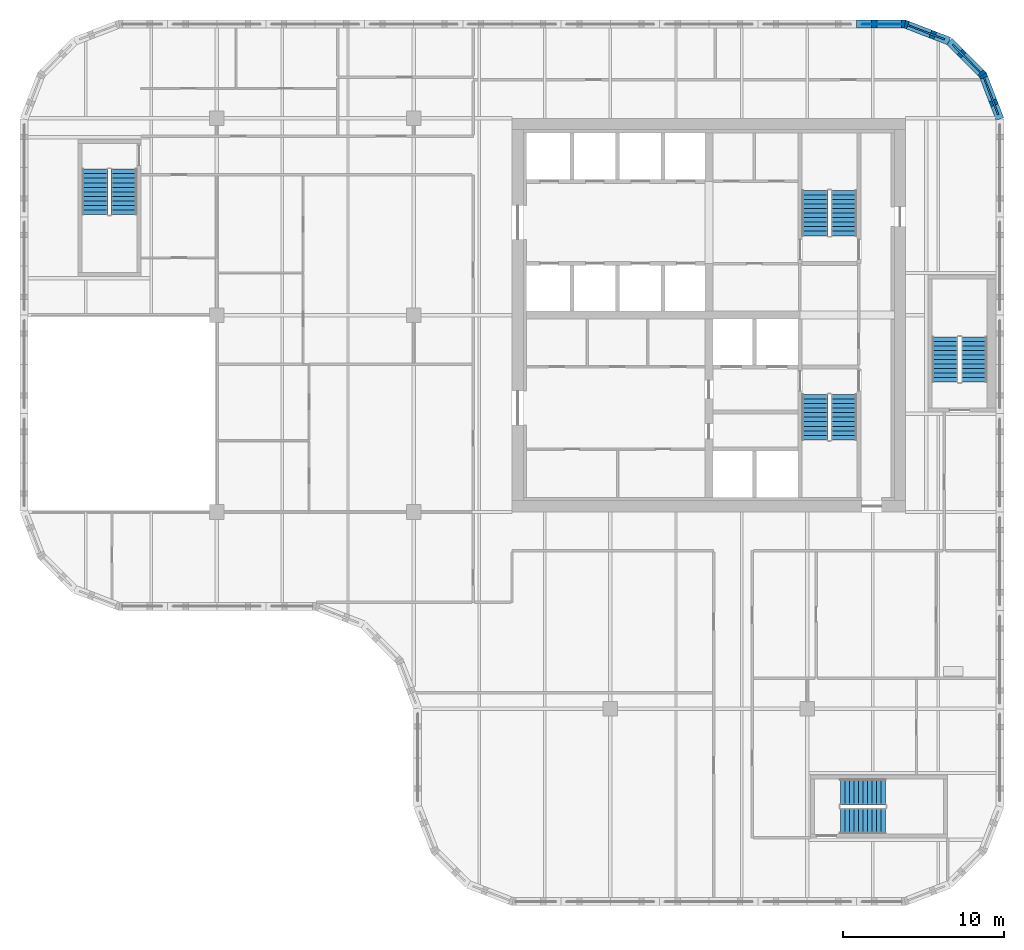
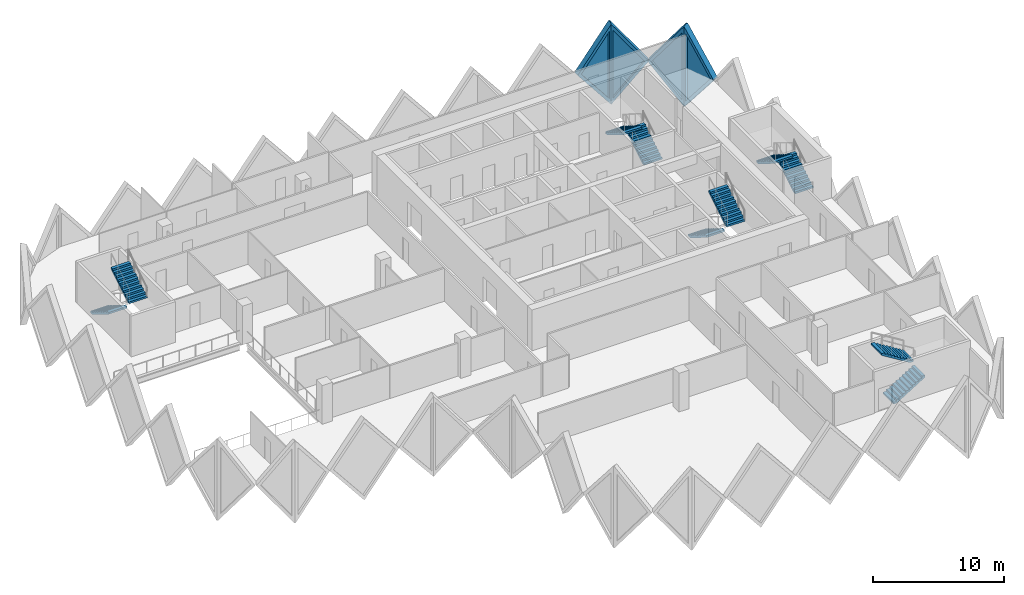
# One storey, part 10 of 12: 10 stair flights, 4 plates, 4 walls, 4 openings, 5 elements without a shape of their own.
"""IFC4 building model written with IfcOpenShell, lengths in metres."""

from ifc_helpers import new_model, si_unit, direction, frame, origin, place, context, subcontext, project, spatial, polyline, outline, extrude, faceted_brep, source, transform, mapped, material, layer, layer_set, type_object, element, fill, aggregate, save


model = new_model("IFC4")

# Units and contexts
model_context = context("Model", 3, precision=1e-05, world=origin(), true_north=direction((0.0, 1.0)))
body_context = subcontext(model_context, "Body", "Model", "MODEL_VIEW")
ifc_project = project(units=[si_unit("LENGTHUNIT", "METRE"), si_unit("AREAUNIT", "SQUARE_METRE"), si_unit("VOLUMEUNIT", "CUBIC_METRE"), si_unit("PLANEANGLEUNIT", "RADIAN"), si_unit("MASSUNIT", "GRAM", prefix="KILO")], contexts=[model_context])

# Site, building, storey
site_placement = place(None, origin())
site = spatial("IfcSite", under=ifc_project, at=site_placement, CompositionType="ELEMENT")
building_placement = place(site_placement, origin())
building = spatial("IfcBuilding", under=site, at=building_placement, Name="Tessera Gate Towers", CompositionType="ELEMENT")
storey_placement = place(building_placement, frame((0.0, 0.0, 127.800048828125)))
storey = spatial("IfcBuildingStorey", under=building, at=storey_placement, Name="L31", CompositionType="ELEMENT", Elevation=127.800048828125)

# Wall, opening, plate
ifc_material_1 = material(Name="Precast concrete C60/75 white", Category="concrete")
ifc_layer_1 = layer(ifc_material_1, 0.5)
ifc_layer_set_1 = layer_set([ifc_layer_1], Name="TS3 corner tessera")
wall_type = type_object("IfcWallType", Name="TS3 corner tessera", PredefinedType="SOLIDWALL", material=ifc_layer_set_1)
shared_shape_1 = source(origin(), body_context, "Body", "Brep", [
    faceted_brep([(2.950439453125, -0.25, 0.0), (2.9970703125, -0.25, 0.05908203125), (2.9970703125, -0.25, 7.541015625), (2.950439453125, -0.25, 7.60009765625), (0.0, -0.25, 3.800048828125), (0.052978515625, 0.25, 3.8681640625), (2.904052734375, 0.25, 7.540283203125), (2.904052734375, 0.25, 0.059814453125), (0.052978515625, 0.25, 3.73193359375), (2.950439453125, 0.00048828125, 0.0), (2.950439453125, 0.00048828125, 7.60009765625), (0.0, 0.0, 3.800048828125)], [[[0, 1, 2, 3, 4]], [[5, 6, 7, 8]], [[1, 0, 9]], [[10, 3, 2]], [[6, 5, 11, 4, 3, 10]], [[8, 7, 9, 0, 4, 11]], [[8, 11, 5]], [[1, 9, 7, 6, 10, 2]]]),
])
wall_1_placement = place(storey_placement, frame((57.606201171875, 53.588134765625, -3.800048828125), z_axis=(0.0, 0.0, 1.0), x_axis=(-0.932990326376, 0.359901446078, 0.0)))
wall_1 = element("IfcWall", 1, at=wall_1_placement, inside=storey, type_object=wall_type, Name="Precast corner tessera T1 TS3-0705", PredefinedType="SOLIDWALL", context=body_context, shape_type="MappedRepresentation", body=[
    mapped(shared_shape_1, transform((0.0, 0.0, 0.0), scale=1.0)),
])
shared_shape_2 = source(origin(), body_context, "Body", "SweptSolid", [
    extrude(outline(polyline([(2.75048828125, 6.934814453125), (0.31640625, 3.800048828125), (2.75048828125, 0.665283203125), (2.75048828125, 6.934814453125)])), frame((0.0, 0.260009765625, 0.0), z_axis=(0.0, -1.0, 0.0), x_axis=(1.0, 0.0, 0.0)), (0.0, 0.0, 1.0), 0.52001953125),
])
opening_1_placement = place(wall_1_placement, origin())
opening_1 = element("IfcOpeningElement", 2, at=opening_1_placement, cuts=wall_1, Name="Opening T1-PL2-1052", PredefinedType="OPENING", context=body_context, shape_type="MappedRepresentation", body=[
    mapped(shared_shape_2, transform((0.0, 0.0, 0.0), scale=1.0)),
])
ifc_material_2 = material(Name="Low-e laminated glass", Category="glass")
ifc_layer_2 = layer(ifc_material_2, 0.06005859375)
ifc_layer_set_2 = layer_set([ifc_layer_2], Name="PL2 rhombic pane")
plate_type = type_object("IfcPlateType", Name="PL2 rhombic pane", PredefinedType="SHEET", material=ifc_layer_set_2)
shared_shape_3 = source(origin(), body_context, "Body", "SweptSolid", [
    extrude(outline(polyline([(2.75048828125, 6.934814453125), (0.31640625, 3.800048828125), (2.75048828125, 0.665283203125), (2.75048828125, 6.934814453125)])), frame((0.0, 0.030029296875, 0.0), z_axis=(0.0, -1.0, 0.0), x_axis=(1.0, 0.0, 0.0)), (0.0, 0.0, 1.0), 0.06005859375),
])
plate_1_placement = place(opening_1_placement, origin())
plate_1 = element("IfcPlate", 3, at=plate_1_placement, inside=storey, type_object=plate_type, Name="Glass pane T1 PL2-1052", PredefinedType="SHEET", context=body_context, shape_type="MappedRepresentation", body=[
    mapped(shared_shape_3, transform((0.0, 0.0, 0.0), scale=1.0)),
])
fill(opening_1, plate_1)

shared_shape_4 = source(origin(), body_context, "Body", "Brep", [
    faceted_brep([(0.046630859375, -0.25, 0.0), (3.050048828125, -0.25, 3.800048828125), (0.046630859375, -0.25, 7.60009765625), (0.0, -0.25, 7.5400390625), (0.0, -0.25, 0.06005859375), (0.09326171875, 0.25, 7.541259765625), (3.050048828125, 0.25, 3.800048828125), (0.09326171875, 0.25, 0.058837890625), (0.046630859375, 0.0, 0.0), (0.046630859375, 0.0, 7.60009765625)], [[[0, 1, 2, 3, 4]], [[5, 6, 7]], [[7, 6, 1, 0, 8]], [[6, 5, 9, 2, 1]], [[3, 2, 9]], [[8, 0, 4]], [[7, 8, 4, 3, 9, 5]]]),
])
wall_2_placement = place(storey_placement, frame((54.900146484375, 54.64990234375, -3.800048828125), z_axis=(0.0, 0.0, 1.0), x_axis=(-1.0, 0.0, 0.0)))
wall_2 = element("IfcWall", 4, at=wall_2_placement, inside=storey, type_object=wall_type, Name="Precast corner tessera T1 TS3-0706", PredefinedType="SOLIDWALL", context=body_context, shape_type="MappedRepresentation", body=[
    mapped(shared_shape_4, transform((0.0, 0.0, 0.0), scale=1.0)),
])
shared_shape_5 = source(origin(), body_context, "Body", "SweptSolid", [
    extrude(outline(polyline([(0.24658203125, 0.65625), (2.7314453125, 3.800048828125), (0.24658203125, 6.94384765625), (0.24658203125, 0.65625)])), frame((0.0, 0.260009765625, 0.0), z_axis=(0.0, -1.0, 0.0), x_axis=(1.0, 0.0, 0.0)), (0.0, 0.0, 1.0), 0.52001953125),
])
opening_2_placement = place(wall_2_placement, origin())
opening_2 = element("IfcOpeningElement", 5, at=opening_2_placement, cuts=wall_2, Name="Opening T1-PL2-1053", PredefinedType="OPENING", context=body_context, shape_type="MappedRepresentation", body=[
    mapped(shared_shape_5, transform((0.0, 0.0, 0.0), scale=1.0)),
])
shared_shape_6 = source(origin(), body_context, "Body", "SweptSolid", [
    extrude(outline(polyline([(0.24658203125, 0.65625), (2.7314453125, 3.800048828125), (0.24658203125, 6.94384765625), (0.24658203125, 0.65625)])), frame((0.0, 0.030029296875, 0.0), z_axis=(0.0, -1.0, 0.0), x_axis=(1.0, 0.0, 0.0)), (0.0, 0.0, 1.0), 0.06005859375),
])
plate_2_placement = place(opening_2_placement, origin())
plate_2 = element("IfcPlate", 6, at=plate_2_placement, inside=storey, type_object=plate_type, Name="Glass pane T1 PL2-1053", PredefinedType="SHEET", context=body_context, shape_type="MappedRepresentation", body=[
    mapped(shared_shape_6, transform((0.0, 0.0, 0.0), scale=1.0)),
])
fill(opening_2, plate_2)

shared_shape_7 = source(origin(), body_context, "Body", "Brep", [
    faceted_brep([(2.950439453125, -0.25, 0.0), (3.00341796875, -0.25, 0.068359375), (3.00341796875, -0.25, 7.53173828125), (2.950439453125, -0.25, 7.60009765625), (0.0, -0.25, 3.800048828125), (0.046630859375, 0.25, 3.860107421875), (2.897705078125, 0.25, 7.531982421875), (2.897705078125, 0.25, 0.068115234375), (0.046630859375, 0.25, 3.739990234375), (2.950439453125, 0.00048828125, 0.0), (2.950439453125, 0.00048828125, 7.60009765625), (0.0, 0.0, 3.800048828125)], [[[0, 1, 2, 3, 4]], [[5, 6, 7, 8]], [[1, 0, 9]], [[10, 3, 2]], [[6, 5, 11, 4, 3, 10]], [[8, 7, 9, 0, 4, 11]], [[8, 11, 5]], [[1, 9, 7, 6, 10, 2]]]),
])
wall_3_placement = place(storey_placement, frame((60.75, 48.75341796875, -3.800048828125), z_axis=(0.0, 0.0, 1.0), x_axis=(-0.35992665181, 0.932980602862, 0.0)))
wall_3 = element("IfcWall", 7, at=wall_3_placement, inside=storey, type_object=wall_type, Name="Precast corner tessera T1 TS3-0703", PredefinedType="SOLIDWALL", context=body_context, shape_type="MappedRepresentation", body=[
    mapped(shared_shape_7, transform((0.0, 0.0, 0.0), scale=1.0)),
])
opening_3_placement = place(wall_3_placement, origin())
opening_3 = element("IfcOpeningElement", 8, at=opening_3_placement, cuts=wall_3, Name="Opening T1-PL2-1050", PredefinedType="OPENING", context=body_context, shape_type="MappedRepresentation", body=[
    mapped(shared_shape_2, transform((0.0, 0.0, 0.0), scale=1.0)),
])
plate_3_placement = place(opening_3_placement, origin())
plate_3 = element("IfcPlate", 9, at=plate_3_placement, inside=storey, type_object=plate_type, Name="Glass pane T1 PL2-1050", PredefinedType="SHEET", context=body_context, shape_type="MappedRepresentation", body=[
    mapped(shared_shape_3, transform((0.0, 0.0, 0.0), scale=1.0)),
])
fill(opening_3, plate_3)

shared_shape_8 = source(origin(), body_context, "Body", "Brep", [
    faceted_brep([(0.052978515625, -0.25, 0.0), (2.9970703125, -0.25, 3.800048828125), (0.052978515625, -0.25, 7.60009765625), (0.0, -0.25, 7.531982421875), (0.0, -0.25, 0.068115234375), (0.10595703125, 0.25, 7.53173828125), (2.944091796875, 0.25, 3.8681640625), (2.944091796875, 0.25, 3.73193359375), (0.10595703125, 0.25, 0.068359375), (2.9970703125, 0.000244140625, 3.800048828125), (0.052978515625, 0.0, 0.0), (0.052978515625, 0.0, 7.60009765625)], [[[0, 1, 2, 3, 4]], [[5, 6, 7, 8]], [[8, 7, 9, 1, 0, 10]], [[6, 5, 11, 2, 1, 9]], [[3, 2, 11]], [[10, 0, 4]], [[8, 10, 4, 3, 11, 5]], [[9, 7, 6]]]),
])
wall_4_placement = place(storey_placement, frame((59.7255859375, 51.46875, -3.800048828125), z_axis=(0.0, 0.0, 1.0), x_axis=(-0.707106781187, 0.707106781187, 0.0)))
wall_4 = element("IfcWall", 10, at=wall_4_placement, inside=storey, type_object=wall_type, Name="Precast corner tessera T1 TS3-0704", PredefinedType="SOLIDWALL", context=body_context, shape_type="MappedRepresentation", body=[
    mapped(shared_shape_8, transform((0.0, 0.0, 0.0), scale=1.0)),
])
shared_shape_9 = source(origin(), body_context, "Body", "SweptSolid", [
    extrude(outline(polyline([(0.2529296875, 0.666259765625), (2.680908203125, 3.800048828125), (0.2529296875, 6.93359375), (0.2529296875, 0.666259765625)])), frame((0.0, 0.260009765625, 0.0), z_axis=(0.0, -1.0, 0.0), x_axis=(1.0, 0.0, 0.0)), (0.0, 0.0, 1.0), 0.52001953125),
])
opening_4_placement = place(wall_4_placement, origin())
opening_4 = element("IfcOpeningElement", 11, at=opening_4_placement, cuts=wall_4, Name="Opening T1-PL2-1051", PredefinedType="OPENING", context=body_context, shape_type="MappedRepresentation", body=[
    mapped(shared_shape_9, transform((0.0, 0.0, 0.0), scale=1.0)),
])
shared_shape_10 = source(origin(), body_context, "Body", "SweptSolid", [
    extrude(outline(polyline([(0.2529296875, 0.666259765625), (2.680908203125, 3.800048828125), (0.2529296875, 6.93359375), (0.2529296875, 0.666259765625)])), frame((0.0, 0.030029296875, 0.0), z_axis=(0.0, -1.0, 0.0), x_axis=(1.0, 0.0, 0.0)), (0.0, 0.0, 1.0), 0.06005859375),
])
plate_4_placement = place(opening_4_placement, origin())
plate_4 = element("IfcPlate", 12, at=plate_4_placement, inside=storey, type_object=plate_type, Name="Glass pane T1 PL2-1051", PredefinedType="SHEET", context=body_context, shape_type="MappedRepresentation", body=[
    mapped(shared_shape_10, transform((0.0, 0.0, 0.0), scale=1.0)),
])
fill(opening_4, plate_4)

# Stair, stair flights
ifc_material_3 = material(Name="Concrete C40/50", Category="concrete")
stair_type_1 = type_object("IfcStairType", Name="EXIT STAIR ST1 1600", PredefinedType="HALF_TURN_STAIR", material=ifc_material_3)
stair_1_placement = place(storey_placement, origin())
stair_1 = element("IfcStair", 13, at=stair_1_placement, inside=storey, type_object=stair_type_1, Name="L31 Protected Exit Stair ST1", PredefinedType="HALF_TURN_STAIR")
ifc_material_4 = material(Name="Concrete C40/50", Category="concrete")
stair_flight_type_1 = type_object("IfcStairFlightType", Name="EXIT STAIR FLIGHT ST1 1600", PredefinedType="STRAIGHT", material=ifc_material_4)
stair_flight_1_placement = place(storey_placement, frame((49.27490234375, 31.675048828125, 0.0), z_axis=(0.0, 0.0, 1.0), x_axis=(0.0, -1.0, 0.0)))
stair_flight_1 = element("IfcStairFlight", 14, at=stair_flight_1_placement, type_object=stair_flight_type_1, Name="ST1 flight 1", NumberOfRisers=11, NumberOfTreads=10, PredefinedType="STRAIGHT", RiserHeight=0.172727273, TreadLength=0.28, context=body_context, shape_type="SweptSolid", body=[
    extrude(outline(polyline([(0.0, 0.0), (0.0, 0.172607421875), (0.280029296875, 0.172607421875), (0.280029296875, 0.345458984375), (0.56005859375, 0.345458984375), (0.56005859375, 0.51806640625), (0.840087890625, 0.51806640625), (0.840087890625, 0.69091796875), (1.1201171875, 0.69091796875), (1.1201171875, 0.863525390625), (1.39990234375, 0.863525390625), (1.39990234375, 1.036376953125), (1.679931640625, 1.036376953125), (1.679931640625, 1.208984375), (1.9599609375, 1.208984375), (1.9599609375, 1.3818359375), (2.239990234375, 1.3818359375), (2.239990234375, 1.554443359375), (2.52001953125, 1.554443359375), (2.52001953125, 1.727294921875), (2.800048828125, 1.727294921875), (2.800048828125, 1.89990234375), (2.800048828125, 1.551025390625), (0.285400390625, 0.0), (0.0, 0.0)])), frame((0.0, 0.800048828125, 0.0), z_axis=(0.0, -1.0, 0.0), x_axis=(1.0, 0.0, 0.0)), (0.0, 0.0, 1.0), 1.60009765625),
])
stair_flight_2_placement = place(storey_placement, frame((51.074951171875, 28.875, 1.89990234375), z_axis=(0.0, 0.0, 1.0), x_axis=(0.0, 1.0, 0.0)))
stair_flight_2 = element("IfcStairFlight", 15, at=stair_flight_2_placement, type_object=stair_flight_type_1, Name="ST1 flight 2", NumberOfRisers=11, NumberOfTreads=10, PredefinedType="STRAIGHT", RiserHeight=0.172727273, TreadLength=0.28, context=body_context, shape_type="SweptSolid", body=[
    extrude(outline(polyline([(0.0, 0.0), (0.0, 0.172607421875), (0.280029296875, 0.172607421875), (0.280029296875, 0.345458984375), (0.56005859375, 0.345458984375), (0.56005859375, 0.51806640625), (0.840087890625, 0.51806640625), (0.840087890625, 0.69091796875), (1.1201171875, 0.69091796875), (1.1201171875, 0.863525390625), (1.39990234375, 0.863525390625), (1.39990234375, 1.036376953125), (1.679931640625, 1.036376953125), (1.679931640625, 1.208984375), (1.9599609375, 1.208984375), (1.9599609375, 1.3818359375), (2.239990234375, 1.3818359375), (2.239990234375, 1.554443359375), (2.52001953125, 1.554443359375), (2.52001953125, 1.727294921875), (2.800048828125, 1.727294921875), (2.800048828125, 1.89990234375), (2.800048828125, 1.551025390625), (0.285400390625, 0.0), (0.0, 0.0)])), frame((0.0, 0.800048828125, 0.0), z_axis=(0.0, -1.0, 0.0), x_axis=(1.0, 0.0, 0.0)), (0.0, 0.0, 1.0), 1.60009765625),
])
aggregate(stair_1, [stair_flight_1, stair_flight_2])

ifc_material_5 = material(Name="Concrete C40/50", Category="concrete")
stair_type_2 = type_object("IfcStairType", Name="EXIT STAIR ST2 1600", PredefinedType="HALF_TURN_STAIR", material=ifc_material_5)
stair_2_placement = place(storey_placement, origin())
stair_2 = element("IfcStair", 16, at=stair_2_placement, inside=storey, type_object=stair_type_2, Name="L31 Protected Exit Stair ST2", PredefinedType="HALF_TURN_STAIR")
ifc_material_6 = material(Name="Concrete C40/50", Category="concrete")
stair_flight_type_2 = type_object("IfcStairFlightType", Name="EXIT STAIR FLIGHT ST2 1600", PredefinedType="STRAIGHT", material=ifc_material_6)
stair_flight_3_placement = place(storey_placement, frame((51.074951171875, 41.52490234375, 0.0), z_axis=(0.0, 0.0, 1.0), x_axis=(0.0, 1.0, 0.0)))
stair_flight_3 = element("IfcStairFlight", 17, at=stair_flight_3_placement, type_object=stair_flight_type_2, Name="ST2 flight 1", NumberOfRisers=11, NumberOfTreads=10, PredefinedType="STRAIGHT", RiserHeight=0.172727273, TreadLength=0.28, context=body_context, shape_type="SweptSolid", body=[
    extrude(outline(polyline([(0.0, 0.0), (0.0, 0.172607421875), (0.280029296875, 0.172607421875), (0.280029296875, 0.345458984375), (0.56005859375, 0.345458984375), (0.56005859375, 0.51806640625), (0.840087890625, 0.51806640625), (0.840087890625, 0.69091796875), (1.1201171875, 0.69091796875), (1.1201171875, 0.863525390625), (1.39990234375, 0.863525390625), (1.39990234375, 1.036376953125), (1.679931640625, 1.036376953125), (1.679931640625, 1.208984375), (1.9599609375, 1.208984375), (1.9599609375, 1.3818359375), (2.239990234375, 1.3818359375), (2.239990234375, 1.554443359375), (2.52001953125, 1.554443359375), (2.52001953125, 1.727294921875), (2.800048828125, 1.727294921875), (2.800048828125, 1.89990234375), (2.800048828125, 1.551025390625), (0.285400390625, 0.0), (0.0, 0.0)])), frame((0.0, 0.800048828125, 0.0), z_axis=(0.0, -1.0, 0.0), x_axis=(1.0, 0.0, 0.0)), (0.0, 0.0, 1.0), 1.60009765625),
])
stair_flight_4_placement = place(storey_placement, frame((49.27490234375, 44.324951171875, 1.89990234375), z_axis=(0.0, 0.0, 1.0), x_axis=(0.0, -1.0, 0.0)))
stair_flight_4 = element("IfcStairFlight", 18, at=stair_flight_4_placement, type_object=stair_flight_type_2, Name="ST2 flight 2", NumberOfRisers=11, NumberOfTreads=10, PredefinedType="STRAIGHT", RiserHeight=0.172727273, TreadLength=0.28, context=body_context, shape_type="SweptSolid", body=[
    extrude(outline(polyline([(0.0, 0.0), (0.0, 0.172607421875), (0.280029296875, 0.172607421875), (0.280029296875, 0.345458984375), (0.56005859375, 0.345458984375), (0.56005859375, 0.51806640625), (0.840087890625, 0.51806640625), (0.840087890625, 0.69091796875), (1.1201171875, 0.69091796875), (1.1201171875, 0.863525390625), (1.39990234375, 0.863525390625), (1.39990234375, 1.036376953125), (1.679931640625, 1.036376953125), (1.679931640625, 1.208984375), (1.9599609375, 1.208984375), (1.9599609375, 1.3818359375), (2.239990234375, 1.3818359375), (2.239990234375, 1.554443359375), (2.52001953125, 1.554443359375), (2.52001953125, 1.727294921875), (2.800048828125, 1.727294921875), (2.800048828125, 1.89990234375), (2.800048828125, 1.551025390625), (0.285400390625, 0.0), (0.0, 0.0)])), frame((0.0, 0.800048828125, 0.0), z_axis=(0.0, -1.0, 0.0), x_axis=(1.0, 0.0, 0.0)), (0.0, 0.0, 1.0), 1.60009765625),
])
aggregate(stair_2, [stair_flight_3, stair_flight_4])

ifc_material_7 = material(Name="Concrete C40/50", Category="concrete")
stair_type_3 = type_object("IfcStairType", Name="EXIT STAIR ST3 1600", PredefinedType="HALF_TURN_STAIR", material=ifc_material_7)
stair_3_placement = place(storey_placement, origin())
stair_3 = element("IfcStair", 19, at=stair_3_placement, inside=storey, type_object=stair_type_3, Name="L31 West Exit Stair ST3", PredefinedType="HALF_TURN_STAIR")
ifc_material_8 = material(Name="Concrete C40/50", Category="concrete")
stair_flight_type_3 = type_object("IfcStairFlightType", Name="EXIT STAIR FLIGHT ST3 1600", PredefinedType="STRAIGHT", material=ifc_material_8)
stair_flight_5_placement = place(storey_placement, frame((4.64990234375, 45.64990234375, 0.0), z_axis=(0.0, 0.0, 1.0), x_axis=(0.0, -1.0, 0.0)))
stair_flight_5 = element("IfcStairFlight", 20, at=stair_flight_5_placement, type_object=stair_flight_type_3, Name="ST3 flight 1", NumberOfRisers=11, NumberOfTreads=10, PredefinedType="STRAIGHT", RiserHeight=0.172727273, TreadLength=0.28, context=body_context, shape_type="SweptSolid", body=[
    extrude(outline(polyline([(0.0, 0.0), (0.0, 0.172607421875), (0.280029296875, 0.172607421875), (0.280029296875, 0.345458984375), (0.56005859375, 0.345458984375), (0.56005859375, 0.51806640625), (0.840087890625, 0.51806640625), (0.840087890625, 0.69091796875), (1.1201171875, 0.69091796875), (1.1201171875, 0.863525390625), (1.39990234375, 0.863525390625), (1.39990234375, 1.036376953125), (1.679931640625, 1.036376953125), (1.679931640625, 1.208984375), (1.9599609375, 1.208984375), (1.9599609375, 1.3818359375), (2.239990234375, 1.3818359375), (2.239990234375, 1.554443359375), (2.52001953125, 1.554443359375), (2.52001953125, 1.727294921875), (2.800048828125, 1.727294921875), (2.800048828125, 1.89990234375), (2.800048828125, 1.551025390625), (0.285400390625, 0.0), (0.0, 0.0)])), frame((0.0, 0.800048828125, 0.0), z_axis=(0.0, -1.0, 0.0), x_axis=(1.0, 0.0, 0.0)), (0.0, 0.0, 1.0), 1.60009765625),
])
stair_flight_6_placement = place(storey_placement, frame((6.449951171875, 42.85009765625, 1.89990234375), z_axis=(0.0, 0.0, 1.0), x_axis=(0.0, 1.0, 0.0)))
stair_flight_6 = element("IfcStairFlight", 21, at=stair_flight_6_placement, type_object=stair_flight_type_3, Name="ST3 flight 2", NumberOfRisers=11, NumberOfTreads=10, PredefinedType="STRAIGHT", RiserHeight=0.172727273, TreadLength=0.28, context=body_context, shape_type="SweptSolid", body=[
    extrude(outline(polyline([(0.0, 0.0), (0.0, 0.172607421875), (0.280029296875, 0.172607421875), (0.280029296875, 0.345458984375), (0.56005859375, 0.345458984375), (0.56005859375, 0.51806640625), (0.840087890625, 0.51806640625), (0.840087890625, 0.69091796875), (1.1201171875, 0.69091796875), (1.1201171875, 0.863525390625), (1.39990234375, 0.863525390625), (1.39990234375, 1.036376953125), (1.679931640625, 1.036376953125), (1.679931640625, 1.208984375), (1.9599609375, 1.208984375), (1.9599609375, 1.3818359375), (2.239990234375, 1.3818359375), (2.239990234375, 1.554443359375), (2.52001953125, 1.554443359375), (2.52001953125, 1.727294921875), (2.800048828125, 1.727294921875), (2.800048828125, 1.89990234375), (2.800048828125, 1.551025390625), (0.285400390625, 0.0), (0.0, 0.0)])), frame((0.0, 0.800048828125, 0.0), z_axis=(0.0, -1.0, 0.0), x_axis=(1.0, 0.0, 0.0)), (0.0, 0.0, 1.0), 1.60009765625),
])
aggregate(stair_3, [stair_flight_5, stair_flight_6])

ifc_material_9 = material(Name="Concrete C40/50", Category="concrete")
stair_type_4 = type_object("IfcStairType", Name="EXIT STAIR ST4 1600", PredefinedType="HALF_TURN_STAIR", material=ifc_material_9)
stair_4_placement = place(storey_placement, origin())
stair_4 = element("IfcStair", 22, at=stair_4_placement, inside=storey, type_object=stair_type_4, Name="L31 South Exit Stair ST4", PredefinedType="HALF_TURN_STAIR")
ifc_material_10 = material(Name="Concrete C40/50", Category="concrete")
stair_flight_type_4 = type_object("IfcStairFlightType", Name="EXIT STAIR FLIGHT ST4 1600", PredefinedType="STRAIGHT", material=ifc_material_10)
stair_flight_7_placement = place(storey_placement, frame((50.85009765625, 5.25, 0.0), z_axis=(0.0, 0.0, 1.0), x_axis=(1.0, 0.0, 0.0)))
stair_flight_7 = element("IfcStairFlight", 23, at=stair_flight_7_placement, type_object=stair_flight_type_4, Name="ST4 flight 1", NumberOfRisers=11, NumberOfTreads=10, PredefinedType="STRAIGHT", RiserHeight=0.172727273, TreadLength=0.28, context=body_context, shape_type="SweptSolid", body=[
    extrude(outline(polyline([(0.0, 0.0), (0.0, 0.172607421875), (0.280029296875, 0.172607421875), (0.280029296875, 0.345458984375), (0.56005859375, 0.345458984375), (0.56005859375, 0.51806640625), (0.840087890625, 0.51806640625), (0.840087890625, 0.69091796875), (1.1201171875, 0.69091796875), (1.1201171875, 0.863525390625), (1.39990234375, 0.863525390625), (1.39990234375, 1.036376953125), (1.679931640625, 1.036376953125), (1.679931640625, 1.208984375), (1.9599609375, 1.208984375), (1.9599609375, 1.3818359375), (2.239990234375, 1.3818359375), (2.239990234375, 1.554443359375), (2.52001953125, 1.554443359375), (2.52001953125, 1.727294921875), (2.800048828125, 1.727294921875), (2.800048828125, 1.89990234375), (2.800048828125, 1.551025390625), (0.285400390625, 0.0), (0.0, 0.0)])), frame((0.0, 0.800048828125, 0.0), z_axis=(0.0, -1.0, 0.0), x_axis=(1.0, 0.0, 0.0)), (0.0, 0.0, 1.0), 1.60009765625),
])
stair_flight_8_placement = place(storey_placement, frame((53.64990234375, 7.050048828125, 1.89990234375), z_axis=(0.0, 0.0, 1.0), x_axis=(-1.0, 0.0, 0.0)))
stair_flight_8 = element("IfcStairFlight", 24, at=stair_flight_8_placement, type_object=stair_flight_type_4, Name="ST4 flight 2", NumberOfRisers=11, NumberOfTreads=10, PredefinedType="STRAIGHT", RiserHeight=0.172727273, TreadLength=0.28, context=body_context, shape_type="SweptSolid", body=[
    extrude(outline(polyline([(0.0, 0.0), (0.0, 0.172607421875), (0.280029296875, 0.172607421875), (0.280029296875, 0.345458984375), (0.56005859375, 0.345458984375), (0.56005859375, 0.51806640625), (0.840087890625, 0.51806640625), (0.840087890625, 0.69091796875), (1.1201171875, 0.69091796875), (1.1201171875, 0.863525390625), (1.39990234375, 0.863525390625), (1.39990234375, 1.036376953125), (1.679931640625, 1.036376953125), (1.679931640625, 1.208984375), (1.9599609375, 1.208984375), (1.9599609375, 1.3818359375), (2.239990234375, 1.3818359375), (2.239990234375, 1.554443359375), (2.52001953125, 1.554443359375), (2.52001953125, 1.727294921875), (2.800048828125, 1.727294921875), (2.800048828125, 1.89990234375), (2.800048828125, 1.551025390625), (0.285400390625, 0.0), (0.0, 0.0)])), frame((0.0, 0.800048828125, 0.0), z_axis=(0.0, -1.0, 0.0), x_axis=(1.0, 0.0, 0.0)), (0.0, 0.0, 1.0), 1.60009765625),
])
aggregate(stair_4, [stair_flight_7, stair_flight_8])

ifc_material_11 = material(Name="Concrete C40/50", Category="concrete")
stair_type_5 = type_object("IfcStairType", Name="EXIT STAIR ST5 1600", PredefinedType="HALF_TURN_STAIR", material=ifc_material_11)
stair_5_placement = place(storey_placement, origin())
stair_5 = element("IfcStair", 25, at=stair_5_placement, inside=storey, type_object=stair_type_5, Name="L31 East Exit Stair ST5", PredefinedType="HALF_TURN_STAIR")
ifc_material_12 = material(Name="Concrete C40/50", Category="concrete")
stair_flight_type_5 = type_object("IfcStairFlightType", Name="EXIT STAIR FLIGHT ST5 1600", PredefinedType="STRAIGHT", material=ifc_material_12)
stair_flight_9_placement = place(storey_placement, frame((59.14990234375, 32.449951171875, 0.0), z_axis=(0.0, 0.0, 1.0), x_axis=(0.0, 1.0, 0.0)))
stair_flight_9 = element("IfcStairFlight", 26, at=stair_flight_9_placement, type_object=stair_flight_type_5, Name="ST5 flight 1", NumberOfRisers=11, NumberOfTreads=10, PredefinedType="STRAIGHT", RiserHeight=0.172727273, TreadLength=0.28, context=body_context, shape_type="SweptSolid", body=[
    extrude(outline(polyline([(0.0, 0.0), (0.0, 0.172607421875), (0.280029296875, 0.172607421875), (0.280029296875, 0.345458984375), (0.56005859375, 0.345458984375), (0.56005859375, 0.51806640625), (0.840087890625, 0.51806640625), (0.840087890625, 0.69091796875), (1.1201171875, 0.69091796875), (1.1201171875, 0.863525390625), (1.39990234375, 0.863525390625), (1.39990234375, 1.036376953125), (1.679931640625, 1.036376953125), (1.679931640625, 1.208984375), (1.9599609375, 1.208984375), (1.9599609375, 1.3818359375), (2.239990234375, 1.3818359375), (2.239990234375, 1.554443359375), (2.52001953125, 1.554443359375), (2.52001953125, 1.727294921875), (2.800048828125, 1.727294921875), (2.800048828125, 1.89990234375), (2.800048828125, 1.551025390625), (0.285400390625, 0.0), (0.0, 0.0)])), frame((0.0, 0.800048828125, 0.0), z_axis=(0.0, -1.0, 0.0), x_axis=(1.0, 0.0, 0.0)), (0.0, 0.0, 1.0), 1.60009765625),
])
stair_flight_10_placement = place(storey_placement, frame((57.35009765625, 35.25, 1.89990234375), z_axis=(0.0, 0.0, 1.0), x_axis=(0.0, -1.0, 0.0)))
stair_flight_10 = element("IfcStairFlight", 27, at=stair_flight_10_placement, type_object=stair_flight_type_5, Name="ST5 flight 2", NumberOfRisers=11, NumberOfTreads=10, PredefinedType="STRAIGHT", RiserHeight=0.172727273, TreadLength=0.28, context=body_context, shape_type="SweptSolid", body=[
    extrude(outline(polyline([(0.0, 0.0), (0.0, 0.172607421875), (0.280029296875, 0.172607421875), (0.280029296875, 0.345458984375), (0.56005859375, 0.345458984375), (0.56005859375, 0.51806640625), (0.840087890625, 0.51806640625), (0.840087890625, 0.69091796875), (1.1201171875, 0.69091796875), (1.1201171875, 0.863525390625), (1.39990234375, 0.863525390625), (1.39990234375, 1.036376953125), (1.679931640625, 1.036376953125), (1.679931640625, 1.208984375), (1.9599609375, 1.208984375), (1.9599609375, 1.3818359375), (2.239990234375, 1.3818359375), (2.239990234375, 1.554443359375), (2.52001953125, 1.554443359375), (2.52001953125, 1.727294921875), (2.800048828125, 1.727294921875), (2.800048828125, 1.89990234375), (2.800048828125, 1.551025390625), (0.285400390625, 0.0), (0.0, 0.0)])), frame((0.0, 0.800048828125, 0.0), z_axis=(0.0, -1.0, 0.0), x_axis=(1.0, 0.0, 0.0)), (0.0, 0.0, 1.0), 1.60009765625),
])
aggregate(stair_5, [stair_flight_9, stair_flight_10])

save(model, "model.ifc")
